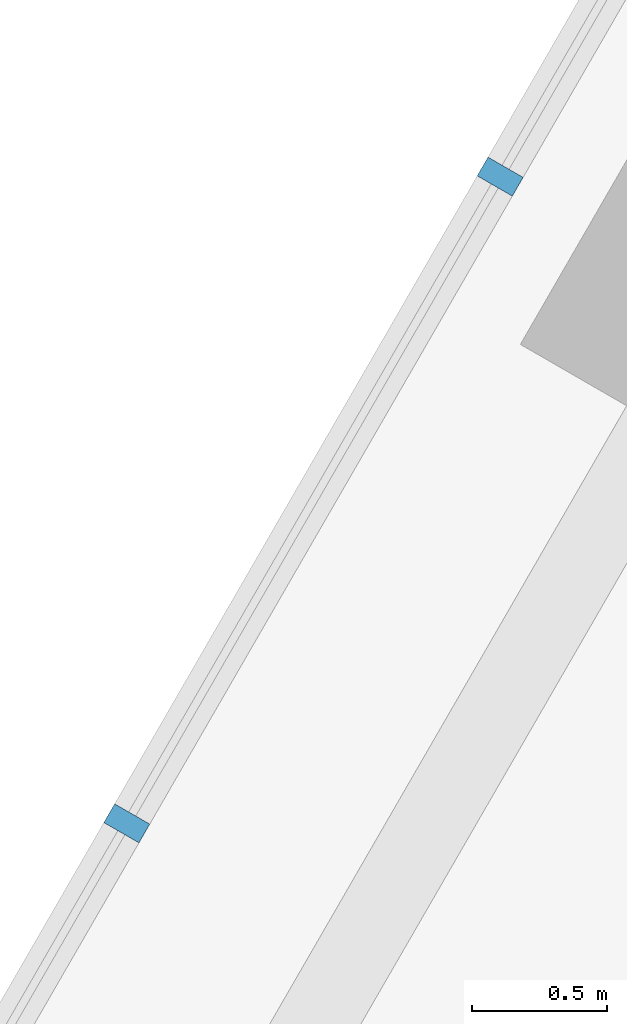
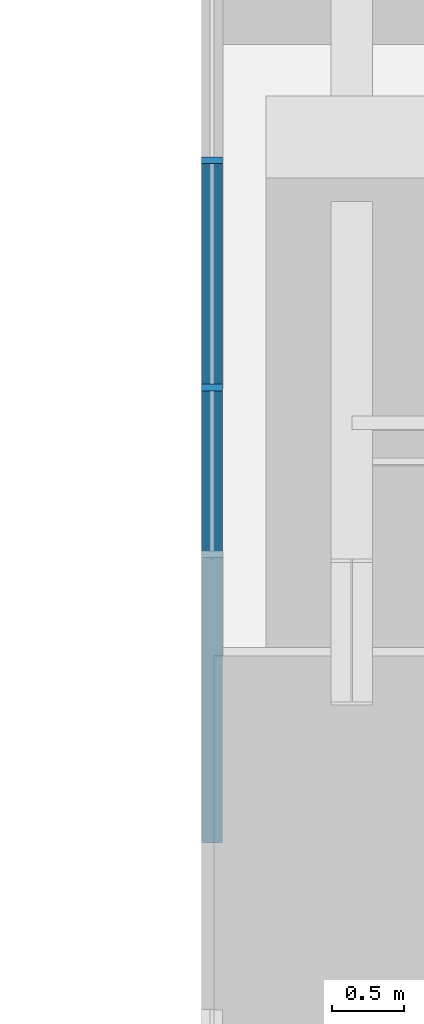
# One storey, part 7 of 26: 2 members, 1 element without a shape of its own.
"""IFC4 building model written with IfcOpenShell, lengths in metres."""

import ifcopenshell
import ifcopenshell.guid

model = None  # the IFC model being written
_history = None  # IfcOwnerHistory: only IFC2X3 demands one
_inside = {}  # id of a spatial element -> (the spatial element, [elements in it])
_under = {}  # id of a project, library or spatial element -> (it, [spatial elements below it])
_declared = {}  # id of a project -> (the project, [libraries it declares])
_typed = {}  # id of a type object -> (the type object, [elements of that type])
_made_of = {}  # id of a material, layer set ... -> (it, [elements and type objects made of it])


def new_model(schema):
    """Start an empty IFC model of exactly this schema.

    Asked for "IFC4X3", IfcOpenShell would pick the latest addendum, in which some entities
    have other attributes; the version numbers below select the first issue.
    IFC2X3 requires an IfcOwnerHistory on every rooted entity: one is made here for all.
    """
    global model, _history
    if schema == "IFC4X3":
        model = ifcopenshell.file(schema_version=(4, 3, 0, 0))
    else:
        model = ifcopenshell.file(schema=schema)
    _inside.clear()
    _under.clear()
    _declared.clear()
    _typed.clear()
    _made_of.clear()
    _history = None
    if model.schema == "IFC2X3":
        org = make("IfcOrganization", Name="unknown")
        user = make(
            "IfcPersonAndOrganization",
            ThePerson=make("IfcPerson", FamilyName="unknown"),
            TheOrganization=org,
        )
        app = make(
            "IfcApplication",
            ApplicationDeveloper=org,
            Version="unknown",
            ApplicationFullName="unknown",
            ApplicationIdentifier="unknown",
        )
        _history = make(
            "IfcOwnerHistory",
            OwningUser=user,
            OwningApplication=app,
            ChangeAction="ADDED",
            CreationDate=0,
        )
    return model


def make(cls, **values):
    """One entity of the class cls with the attributes given. An attribute that is None is left unset."""
    return model.create_entity(
        cls, **{name: value for name, value in values.items() if value is not None}
    )


def rooted(cls, **values):
    """An entity with a GlobalId (a new one), such as an element, a storey or a relation."""
    return make(cls, GlobalId=ifcopenshell.guid.new(), OwnerHistory=_history, **values)


def si_unit(unit_type, name, prefix=None):
    """IfcSIUnit, for example si_unit("LENGTHUNIT", "METRE", prefix="MILLI")."""
    return make("IfcSIUnit", UnitType=unit_type, Prefix=prefix, Name=name)


def assignment(units):
    """IfcUnitAssignment: the units of a project."""
    return None if units is None else make("IfcUnitAssignment", Units=units)


def point(xyz):
    """IfcCartesianPoint."""
    return None if xyz is None else make("IfcCartesianPoint", Coordinates=xyz)


def direction(xyz):
    """IfcDirection."""
    return None if xyz is None else make("IfcDirection", DirectionRatios=xyz)


def frame(location, z_axis=None, x_axis=None):
    """IfcAxis2Placement3D, a coordinate frame: its origin and axes. An axis left out is left unset."""
    return make(
        "IfcAxis2Placement3D",
        Location=point(location),
        Axis=direction(z_axis),
        RefDirection=direction(x_axis),
    )


def frame_2d(location, x_axis=None):
    """IfcAxis2Placement2D, a coordinate frame in the plane: its origin and x axis."""
    return make(
        "IfcAxis2Placement2D", Location=point(location), RefDirection=direction(x_axis)
    )


def origin():
    """The frame at (0, 0, 0) with its axes left unset."""
    return frame((0.0, 0.0, 0.0))


def origin_2d():
    """The frame at (0, 0) in the plane with its x axis left unset."""
    return frame_2d((0.0, 0.0))


def place(relative_to, where):
    """IfcLocalPlacement: puts the frame where relative to a parent placement (None: the world)."""
    return make(
        "IfcLocalPlacement", PlacementRelTo=relative_to, RelativePlacement=where
    )


def context(
    kind, dimensions, precision=None, world=None, true_north=None, identifier=None
):
    """IfcGeometricRepresentationContext, for example the 3D "Model" context."""
    return make(
        "IfcGeometricRepresentationContext",
        ContextIdentifier=identifier,
        ContextType=kind,
        CoordinateSpaceDimension=dimensions,
        Precision=precision,
        WorldCoordinateSystem=world,
        TrueNorth=true_north,
    )


def subcontext(parent, identifier, kind, view, scale=None):
    """IfcGeometricRepresentationSubContext, for example "Body" below "Model"."""
    return make(
        "IfcGeometricRepresentationSubContext",
        ContextIdentifier=identifier,
        ContextType=kind,
        ParentContext=parent,
        TargetScale=scale,
        TargetView=view,
    )


def project(units=None, contexts=None):
    """IfcProject with its units and contexts."""
    return rooted(
        "IfcProject",
        Name="project",
        RepresentationContexts=contexts,
        UnitsInContext=assignment(units),
    )


def spatial(cls, under=None, at=None, **own):
    """A site, building, storey or space (cls), placed at a placement, below another one or the project."""
    s = rooted(cls, ObjectPlacement=at, **own)
    if under is not None:
        _under.setdefault(under.id(), (under, []))[1].append(s)
    return s


def profile(cls, at=None, kind="AREA", **sizes):
    """A parametric profile (cls). Its sizes go by their IFC names, for example OverallWidth=200.0."""
    return make(cls, ProfileType=kind, Position=at, **sizes)


def rectangle(**sizes):
    """IfcRectangleProfileDef."""
    return profile("IfcRectangleProfileDef", **sizes)


def extrude(swept, where, along, depth):
    """IfcExtrudedAreaSolid: the profile swept, set in the frame where, extruded along a direction by depth."""
    return make(
        "IfcExtrudedAreaSolid",
        SweptArea=swept,
        Position=where,
        ExtrudedDirection=direction(along),
        Depth=depth,
    )


def shape(context_of_items, identifier, shape_type, items):
    """IfcShapeRepresentation: the items that make up one representation, for example the "Body"."""
    return make(
        "IfcShapeRepresentation",
        ContextOfItems=context_of_items,
        RepresentationIdentifier=identifier,
        RepresentationType=shape_type,
        Items=items,
    )


def material(Name=None, Category=None):
    """IfcMaterial."""
    return make("IfcMaterial", Name=Name, Category=Category)


def layer(
    of_material, thickness, ventilated=None, Name=None, Category=None, Priority=None
):
    """IfcMaterialLayer: one layer of a wall or slab, of a material (None: an air gap)."""
    return make(
        "IfcMaterialLayer",
        Material=of_material,
        LayerThickness=thickness,
        IsVentilated=ventilated,
        Name=Name,
        Category=Category,
        Priority=Priority,
    )


def layer_set(layers, Name=None):
    """IfcMaterialLayerSet."""
    return make("IfcMaterialLayerSet", MaterialLayers=layers, LayerSetName=Name)


def material_profile(
    of_material, cross_section, Name=None, Category=None, Priority=None
):
    """IfcMaterialProfile: a cross section and its material."""
    return make(
        "IfcMaterialProfile",
        Name=Name,
        Material=of_material,
        Profile=cross_section,
        Priority=Priority,
        Category=Category,
    )


def profile_set(profiles, Name=None, composite=None):
    """IfcMaterialProfileSet."""
    return make(
        "IfcMaterialProfileSet",
        Name=Name,
        MaterialProfiles=profiles,
        CompositeProfile=composite,
    )


def made_of(thing, what):
    """Note that an element or type object is made of a material, layer set ...; save() writes the relation."""
    if what is not None:
        _made_of.setdefault(what.id(), (what, []))[1].append(thing)
    return thing


def type_object(cls, material=None, **own):
    """A type object (cls), such as IfcWallType, which elements share."""
    return made_of(rooted(cls, **own), material)


def element(
    cls,
    number,
    at=None,
    inside=None,
    cuts=None,
    type_object=None,
    material=None,
    context=None,
    identifier="Body",
    shape_type=None,
    held_by="IfcProductDefinitionShape",
    body=None,
    shapes=None,
    **own,
):
    """One element of the class cls, such as IfcWall. Its Tag is "e" and its number.

    at: its placement. inside: the storey or other place that contains it. cuts: it is an
    opening in that element (IfcRelVoidsElement). A single representation is given by context,
    identifier, shape_type and body (its items); several are given by shapes. held_by: the class
    of the entity that holds the representations. save() writes the other relations.
    """
    e = rooted(cls, Tag="e%d" % number, ObjectPlacement=at, **own)
    if body is not None:
        shapes = [shape(context, identifier, shape_type, body)]
    if shapes is not None:
        e.Representation = make(held_by, Representations=shapes)
    if inside is not None:
        _inside.setdefault(inside.id(), (inside, []))[1].append(e)
    if cuts is not None:
        rooted(
            "IfcRelVoidsElement", RelatingBuildingElement=cuts, RelatedOpeningElement=e
        )
    if type_object is not None:
        _typed.setdefault(type_object.id(), (type_object, []))[1].append(e)
    return made_of(e, material)


def aggregate(whole, parts):
    """IfcRelAggregates: a whole, such as a stair, and the parts it consists of."""
    return rooted("IfcRelAggregates", RelatingObject=whole, RelatedObjects=parts)


def save(model, path):
    """Write the relations noted so far, then the file.

    IfcRelAggregates (storeys below a building ...), IfcRelContainedInSpatialStructure (elements
    in a storey), IfcRelDefinesByType, IfcRelAssociatesMaterial and IfcRelDeclares: one each for
    every whole, place, type object, material and project.
    """
    for whole, parts in _under.values():
        aggregate(whole, parts)
    for where, things in _inside.values():
        rooted(
            "IfcRelContainedInSpatialStructure",
            RelatedElements=things,
            RelatingStructure=where,
        )
    for kind, things in _typed.values():
        rooted("IfcRelDefinesByType", RelatedObjects=things, RelatingType=kind)
    for what, things in _made_of.values():
        rooted("IfcRelAssociatesMaterial", RelatedObjects=things, RelatingMaterial=what)
    for by, libraries in _declared.values():
        rooted("IfcRelDeclares", RelatingContext=by, RelatedDefinitions=libraries)
    model.write(path)


model = new_model("IFC4")

# Units and contexts
model_context = context("Model", 3, precision=1e-05, world=origin(), true_north=direction((0.0, 1.0)))
body_context = subcontext(model_context, "Body", "Model", "MODEL_VIEW")
ifc_project = project(units=[si_unit("LENGTHUNIT", "METRE"), si_unit("AREAUNIT", "SQUARE_METRE"), si_unit("VOLUMEUNIT", "CUBIC_METRE"), si_unit("PLANEANGLEUNIT", "RADIAN"), si_unit("MASSUNIT", "GRAM", prefix="KILO")], contexts=[model_context])

# Site, building, storey
site_placement = place(None, origin())
site = spatial("IfcSite", under=ifc_project, at=site_placement, CompositionType="ELEMENT")
building_placement = place(site_placement, origin())
building = spatial("IfcBuilding", under=site, at=building_placement, Name="Firuza Gate Tower and Library", CompositionType="ELEMENT")
storey_placement = place(building_placement, frame((0.0, 0.0, 52.60009765625)))
storey = spatial("IfcBuildingStorey", under=building, at=storey_placement, Name="L11", CompositionType="ELEMENT", Elevation=52.60009765625)

# Curtain wall, members
ifc_material_1 = material(Name="Aluminium 6063-T6", Category="aluminium")
ifc_layer = layer(ifc_material_1, 0.14990234375)
ifc_layer_set = layer_set([ifc_layer], Name="Unitised curtain wall, offices")
curtain_wall_type = type_object("IfcCurtainWallType", Name="Unitised curtain wall, offices", PredefinedType="NOTDEFINED", material=ifc_layer_set)
curtain_wall_placement = place(storey_placement, origin())
curtain_wall = element("IfcCurtainWall", 1, at=curtain_wall_placement, inside=storey, type_object=curtain_wall_type, Name="CW1 L11 W face", PredefinedType="NOTDEFINED")
ifc_material_2 = material(Name="Aluminium 6063-T6", Category="aluminium")
ifc_material_profile = material_profile(ifc_material_2, rectangle(XDim=0.14990234375, YDim=0.080078125, at=origin_2d()))
ifc_profile_set = profile_set([ifc_material_profile], Name="Aluminium 6063-T6")
member_type = type_object("IfcMemberType", Name="Curtain wall mullion 80x150", PredefinedType="MULLION", material=ifc_profile_set)
member_1_placement = place(storey_placement, frame((56.984130859375, 85.4013671875, 0.14990234375), z_axis=(0.0, 0.0, 1.0), x_axis=(0.866025403784, -0.5, 0.0)))
member_1 = element("IfcMember", 2, at=member_1_placement, type_object=member_type, Name="Mullion", PredefinedType="MULLION", context=body_context, shape_type="SweptSolid", body=[
    extrude(rectangle(XDim=0.14990234375, YDim=0.080078125, at=origin_2d()), origin(), (0.0, 0.0, 1.0), 3.85009765625),
])
member_2_placement = place(storey_placement, frame((55.60302734375, 83.009033203125, 0.14990234375), z_axis=(0.0, 0.0, 1.0), x_axis=(0.866025403784, -0.5, 0.0)))
member_2 = element("IfcMember", 3, at=member_2_placement, type_object=member_type, Name="Mullion", PredefinedType="MULLION", context=body_context, shape_type="SweptSolid", body=[
    extrude(rectangle(XDim=0.14990234375, YDim=0.080078125, at=origin_2d()), origin(), (0.0, 0.0, 1.0), 3.85009765625),
])
aggregate(curtain_wall, [member_1, member_2])

save(model, "model.ifc")
